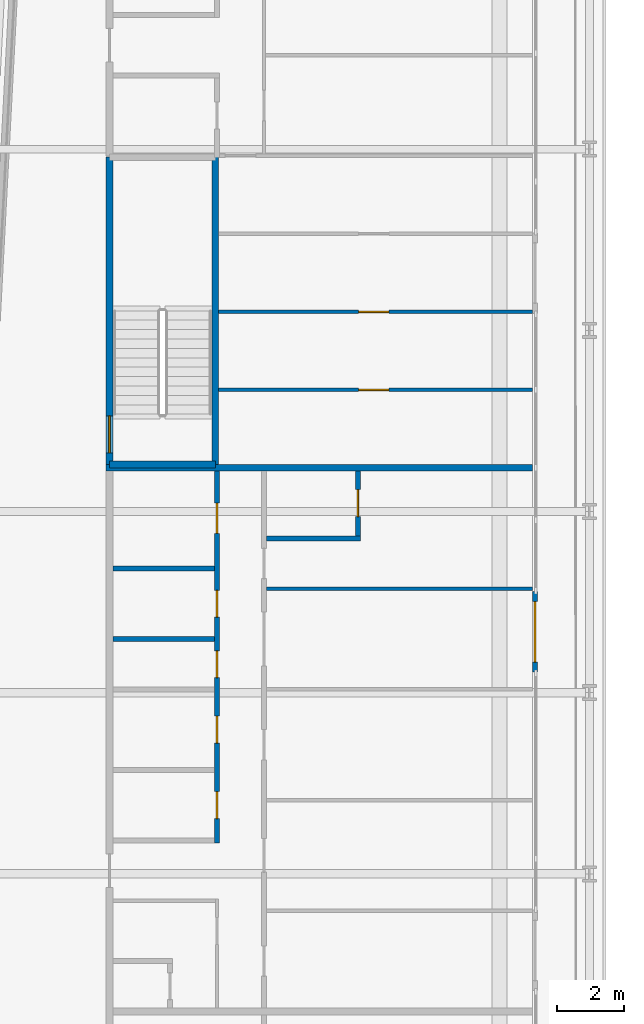
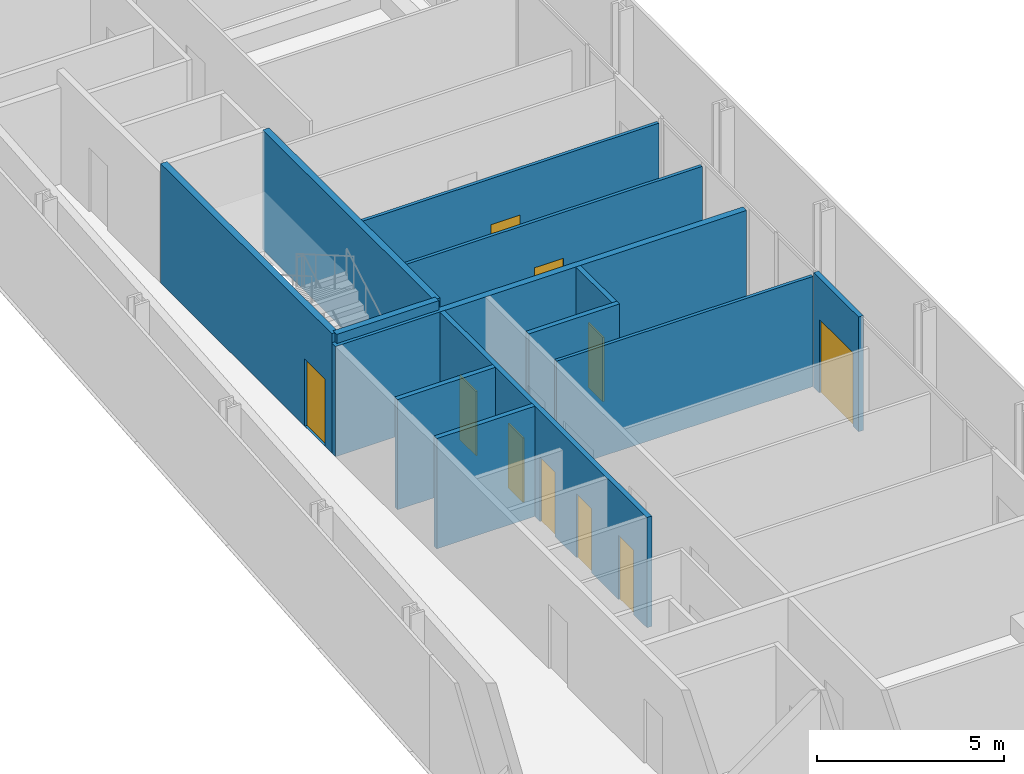
# One storey, part 18 of 28: 13 walls, 10 doors, 10 openings.
"""IFC4 building model written with IfcOpenShell, lengths in metres."""

from ifc_helpers import new_model, si_unit, direction, frame, frame_2d, origin, place, context, subcontext, project, spatial, rectangle, extrude, source, transform, mapped, material, layer, layer_set, type_object, element, fill, save


model = new_model("IFC4")

# Units and contexts
model_context = context("Model", 3, precision=1e-05, world=origin(), true_north=direction((0.0, 1.0)))
body_context = subcontext(model_context, "Body", "Model", "MODEL_VIEW")
ifc_project = project(units=[si_unit("LENGTHUNIT", "METRE"), si_unit("AREAUNIT", "SQUARE_METRE"), si_unit("VOLUMEUNIT", "CUBIC_METRE"), si_unit("PLANEANGLEUNIT", "RADIAN"), si_unit("MASSUNIT", "GRAM", prefix="KILO")], contexts=[model_context])

# Site, building, storey
site_placement = place(None, origin())
site = spatial("IfcSite", under=ifc_project, at=site_placement, CompositionType="ELEMENT")
building_placement = place(site_placement, origin())
building = spatial("IfcBuilding", under=site, at=building_placement, Name="Kheshtan School and Residences Tower", CompositionType="ELEMENT")
storey_placement = place(building_placement, frame((0.0, 0.0, 73.39990234375)))
storey = spatial("IfcBuildingStorey", under=building, at=storey_placement, Name="L17", CompositionType="ELEMENT", Elevation=73.39990234375)

# Wall, opening, door
ifc_material_1 = material(Name="Aluminium frame wall with insulated infill", Category="aluminium")
ifc_layer_1 = layer(ifc_material_1, 0.14990234375)
ifc_layer_set_1 = layer_set([ifc_layer_1], Name="Glazing frame wall 150")
wall_type_1 = type_object("IfcWallType", Name="Glazing frame wall 150", PredefinedType="SOLIDWALL", material=ifc_layer_set_1)
wall_1_placement = place(storey_placement, frame((45.97509765625, 75.612060546875, 0.0), z_axis=(0.0, 0.0, 1.0), x_axis=(0.0, -1.0, 0.0)))
wall_1 = element("IfcWall", 1, at=wall_1_placement, inside=storey, type_object=wall_type_1, Name="Balcony door wall L17 8.3", PredefinedType="SOLIDWALL", context=body_context, shape_type="SweptSolid", body=[
    extrude(rectangle(XDim=2.400146484375, YDim=0.14990234375, at=frame_2d((1.2001953125, 0.0))), origin(), (0.0, 0.0, 1.0), 3.75),
])
opening_1_placement = place(wall_1_placement, frame((0.300048828125, 0.0, 0.0)))
opening_1 = element("IfcOpeningElement", 2, at=opening_1_placement, cuts=wall_1, Name="Opening BD", PredefinedType="OPENING", context=body_context, shape_type="SweptSolid", body=[
    extrude(rectangle(XDim=1.800048828125, YDim=2.39990234375, at=frame_2d((0.89990234375, 1.199951171875))), frame((0.0, 0.0849609375, 0.0), z_axis=(0.0, -1.0, 0.0), x_axis=(1.0, 0.0, 0.0)), (0.0, 0.0, 1.0), 0.169921875),
])
ifc_material_2 = material(Name="Clear low-e glass in thermally broken aluminium frame", Category="aluminium")
door_type_1 = type_object("IfcDoorType", Name="Balcony sliding door", OperationType="SLIDING_TO_LEFT", PredefinedType="DOOR", material=ifc_material_2)
shared_shape_1 = source(origin(), body_context, "Body", "SweptSolid", [
    extrude(rectangle(XDim=1.800048828125, YDim=2.39990234375, at=frame_2d((0.89990234375, 1.199951171875))), frame((0.0, 0.02490234375, 0.0), z_axis=(0.0, -1.0, 0.0), x_axis=(1.0, 0.0, 0.0)), (0.0, 0.0, 1.0), 0.050048828125),
])
door_1_placement = place(opening_1_placement, origin())
door_1 = element("IfcDoor", 3, at=door_1_placement, inside=storey, type_object=door_type_1, Name="Balcony door L17 8.3", OperationType="SLIDING_TO_LEFT", OverallHeight=2.39990234375, OverallWidth=1.800048828125, PredefinedType="DOOR", context=body_context, shape_type="MappedRepresentation", body=[
    mapped(shared_shape_1, transform((0.0, 0.0, 0.0), x_axis=(1.0, 0.0, 0.0), y_axis=(0.0, 1.0, 0.0), z_axis=(0.0, 0.0, 1.0), scale=1.0)),
])
fill(opening_1, door_1)

ifc_material_3 = material(Name="Gypsum board on steel studs", Category="steel")
ifc_layer_2 = layer(ifc_material_3, 0.10009765625)
ifc_layer_set_2 = layer_set([ifc_layer_2], Name="Gypsum partition 100")
wall_type_2 = type_object("IfcWallType", Name="Gypsum partition 100", PredefinedType="PARTITIONING", material=ifc_layer_set_2)
wall_2_placement = place(storey_placement, frame((36.549072265625, 81.625, 0.0), z_axis=(0.0, 0.0, 1.0), x_axis=(1.0, 0.0, 0.0)))
wall_2 = element("IfcWall", 4, at=wall_2_placement, inside=storey, type_object=wall_type_2, Name="Partition L17-028", PredefinedType="PARTITIONING", context=body_context, shape_type="SweptSolid", body=[
    extrude(rectangle(XDim=9.350830078125, YDim=0.10009765625, at=frame_2d((4.67529296875, 0.0))), origin(), (0.0, 0.0, 1.0), 3.60009765625),
])
opening_2_placement = place(wall_2_placement, frame((4.1708984375, 0.0, 0.0)))
opening_2 = element("IfcOpeningElement", 5, at=opening_2_placement, cuts=wall_2, Name="Opening D17-065", PredefinedType="OPENING", context=body_context, shape_type="SweptSolid", body=[
    extrude(rectangle(XDim=0.89990234375, YDim=2.10009765625, at=frame_2d((0.449951171875, 1.050048828125))), frame((0.0, 0.06005859375, 0.0), z_axis=(0.0, -1.0, 0.0), x_axis=(1.0, 0.0, 0.0)), (0.0, 0.0, 1.0), 0.1201171875),
])
ifc_material_4 = material(Name="Veneered timber door leaf", Category="wood")
door_type_2 = type_object("IfcDoorType", Name="Door 900 x 2100", OperationType="SINGLE_SWING_LEFT", PredefinedType="DOOR", material=ifc_material_4)
shared_shape_2 = source(origin(), body_context, "Body", "SweptSolid", [
    extrude(rectangle(XDim=0.89990234375, YDim=2.10009765625, at=frame_2d((0.449951171875, 1.050048828125))), frame((0.0, 0.02490234375, 0.0), z_axis=(0.0, -1.0, 0.0), x_axis=(1.0, 0.0, 0.0)), (0.0, 0.0, 1.0), 0.050048828125),
])
door_2_placement = place(opening_2_placement, origin())
door_2 = element("IfcDoor", 6, at=door_2_placement, inside=storey, type_object=door_type_2, Name="Door D17-065", OperationType="SINGLE_SWING_RIGHT", OverallHeight=2.10009765625, OverallWidth=0.89990234375, PredefinedType="DOOR", context=body_context, shape_type="MappedRepresentation", body=[
    mapped(shared_shape_2, transform((0.0, 0.0, 0.0), x_axis=(1.0, 0.0, 0.0), y_axis=(0.0, 1.0, 0.0), z_axis=(0.0, 0.0, 1.0), scale=1.0)),
])
fill(opening_2, door_2)

wall_3_placement = place(storey_placement, frame((36.549072265625, 83.949951171875, 0.0), z_axis=(0.0, 0.0, 1.0), x_axis=(1.0, 0.0, 0.0)))
wall_3 = element("IfcWall", 7, at=wall_3_placement, inside=storey, type_object=wall_type_2, Name="Partition L17-029", PredefinedType="PARTITIONING", context=body_context, shape_type="SweptSolid", body=[
    extrude(rectangle(XDim=9.350830078125, YDim=0.10009765625, at=frame_2d((4.67529296875, 0.0))), origin(), (0.0, 0.0, 1.0), 3.60009765625),
])
opening_3_placement = place(wall_3_placement, frame((4.1708984375, 0.0, 0.0)))
opening_3 = element("IfcOpeningElement", 8, at=opening_3_placement, cuts=wall_3, Name="Opening D17-064", PredefinedType="OPENING", context=body_context, shape_type="SweptSolid", body=[
    extrude(rectangle(XDim=0.89990234375, YDim=2.10009765625, at=frame_2d((0.449951171875, 1.050048828125))), frame((0.0, 0.06005859375, 0.0), z_axis=(0.0, -1.0, 0.0), x_axis=(1.0, 0.0, 0.0)), (0.0, 0.0, 1.0), 0.1201171875),
])
door_3_placement = place(opening_3_placement, origin())
door_3 = element("IfcDoor", 9, at=door_3_placement, inside=storey, type_object=door_type_2, Name="Door D17-064", OperationType="SINGLE_SWING_RIGHT", OverallHeight=2.10009765625, OverallWidth=0.89990234375, PredefinedType="DOOR", context=body_context, shape_type="MappedRepresentation", body=[
    mapped(shared_shape_2, transform((0.0, 0.0, 0.0), x_axis=(1.0, 0.0, 0.0), y_axis=(0.0, 1.0, 0.0), z_axis=(0.0, 0.0, 1.0), scale=1.0)),
])
fill(opening_3, door_3)

# Walls
wall_4_placement = place(storey_placement, frame((37.97509765625, 75.699951171875, 0.0), z_axis=(0.0, 0.0, 1.0), x_axis=(1.0, 0.0, 0.0)))
element("IfcWall", 10, at=wall_4_placement, inside=storey, type_object=wall_type_2, Name="Partition L17-040", PredefinedType="PARTITIONING", context=body_context, shape_type="SweptSolid", body=[
    extrude(rectangle(XDim=7.9248046875, YDim=0.10009765625, at=frame_2d((3.96240234375, 0.0))), origin(), (0.0, 0.0, 1.0), 3.60009765625),
])
ifc_material_5 = material(Name="Concrete C40/50", Category="concrete")
ifc_layer_3 = layer(ifc_material_5, 0.199951171875)
ifc_layer_set_3 = layer_set([ifc_layer_3], Name="Stair enclosure wall 200 Concrete C40/50")
wall_type_3 = type_object("IfcWallType", Name="Stair enclosure wall 200 Concrete C40/50", PredefinedType="SHEAR", material=ifc_layer_set_3)
wall_5_placement = place(storey_placement, frame((33.300048828125, 79.39990234375, 0.0), z_axis=(0.0, 0.0, 1.0), x_axis=(1.0, 0.0, 0.0)))
element("IfcWall", 11, at=wall_5_placement, inside=storey, type_object=wall_type_3, Name="Stair enclosure wall ST3", PredefinedType="SHEAR", context=body_context, shape_type="SweptSolid", body=[
    extrude(rectangle(XDim=3.14990234375, YDim=0.199951171875, at=frame_2d((1.574951171875, 0.0))), origin(), (0.0, 0.0, 1.0), 3.900146484375),
])

# Wall, opening, door
wall_6_placement = place(storey_placement, frame((33.300048828125, 79.39990234375, 0.0), z_axis=(0.0, 0.0, 1.0), x_axis=(0.0, 1.0, 0.0)))
wall_6 = element("IfcWall", 12, at=wall_6_placement, inside=storey, type_object=wall_type_3, Name="Stair enclosure wall ST3", PredefinedType="SHEAR", context=body_context, shape_type="SweptSolid", body=[
    extrude(rectangle(XDim=9.16015625, YDim=0.199951171875, at=frame_2d((4.580078125, 0.0))), origin(), (0.0, 0.0, 1.0), 3.900146484375),
])
opening_4_placement = place(wall_6_placement, frame((0.35009765625, 0.0, 0.0)))
opening_4 = element("IfcOpeningElement", 13, at=opening_4_placement, cuts=wall_6, Name="Opening ST3D", PredefinedType="OPENING", context=body_context, shape_type="SweptSolid", body=[
    extrude(rectangle(XDim=1.10009765625, YDim=2.199951171875, at=frame_2d((0.550048828125, 1.10009765625))), frame((0.0, 0.10986328125, 0.0), z_axis=(0.0, -1.0, 0.0), x_axis=(1.0, 0.0, 0.0)), (0.0, 0.0, 1.0), 0.219970703125),
])
ifc_material_6 = material(Name="Steel door leaf, galvanised", Category="steel")
door_type_3 = type_object("IfcDoorType", Name="Stair door 1100 steel 90 min", OperationType="SINGLE_SWING_LEFT", PredefinedType="DOOR", material=ifc_material_6)
shared_shape_3 = source(origin(), body_context, "Body", "SweptSolid", [
    extrude(rectangle(XDim=1.10009765625, YDim=2.199951171875, at=frame_2d((0.550048828125, 1.10009765625))), frame((0.0, 0.02490234375, 0.0), z_axis=(0.0, -1.0, 0.0), x_axis=(1.0, 0.0, 0.0)), (0.0, 0.0, 1.0), 0.050048828125),
])
door_4_placement = place(opening_4_placement, origin())
door_4 = element("IfcDoor", 14, at=door_4_placement, inside=storey, type_object=door_type_3, Name="Stair ST3 door", OperationType="SINGLE_SWING_RIGHT", OverallHeight=2.199951171875, OverallWidth=1.10009765625, PredefinedType="DOOR", context=body_context, shape_type="MappedRepresentation", body=[
    mapped(shared_shape_3, transform((0.0, 0.0, 0.0), x_axis=(1.0, 0.0, 0.0), y_axis=(0.0, 1.0, 0.0), z_axis=(0.0, 0.0, 1.0), scale=1.0)),
])
fill(opening_4, door_4)

# Walls
wall_7_placement = place(storey_placement, frame((36.449951171875, 79.39990234375, 0.0), z_axis=(0.0, 0.0, 1.0), x_axis=(0.0, 1.0, 0.0)))
element("IfcWall", 15, at=wall_7_placement, inside=storey, type_object=wall_type_3, Name="Stair enclosure wall ST3", PredefinedType="SHEAR", context=body_context, shape_type="SweptSolid", body=[
    extrude(rectangle(XDim=9.16015625, YDim=0.199951171875, at=frame_2d((4.580078125, 0.0))), origin(), (0.0, 0.0, 1.0), 3.900146484375),
])
ifc_material_7 = material(Name="Twin gypsum board on steel studs with mineral wool", Category="steel")
ifc_layer_4 = layer(ifc_material_7, 0.199951171875)
ifc_layer_set_4 = layer_set([ifc_layer_4], Name="Unit demising wall 200")
wall_type_4 = type_object("IfcWallType", Name="Unit demising wall 200", PredefinedType="PARTITIONING", material=ifc_layer_set_4)
wall_8_placement = place(storey_placement, frame((33.199951171875, 79.300048828125, 0.0), z_axis=(0.0, 0.0, 1.0), x_axis=(1.0, 0.0, 0.0)))
element("IfcWall", 16, at=wall_8_placement, inside=storey, type_object=wall_type_4, Name="Partition L17-003", PredefinedType="PARTITIONING", context=body_context, shape_type="SweptSolid", body=[
    extrude(rectangle(XDim=12.699951171875, YDim=0.199951171875, at=frame_2d((6.35009765625, 0.0))), origin(), (0.0, 0.0, 1.0), 3.60009765625),
])
ifc_material_8 = material(Name="Moisture-resistant gypsum board on steel studs", Category="steel")
ifc_layer_5 = layer(ifc_material_8, 0.14990234375)
ifc_layer_set_5 = layer_set([ifc_layer_5], Name="Wet-room partition 150")
wall_type_5 = type_object("IfcWallType", Name="Wet-room partition 150", PredefinedType="PARTITIONING", material=ifc_layer_set_5)
for number, where, z_axis, x_axis, name in (
    (17, (33.39990234375, 74.199951171875, 0.0), (0.0, 0.0, 1.0), (1.0, 0.0, 0.0), "Partition L17-016"),
    (18, (33.39990234375, 76.300048828125, 0.0), (0.0, 0.0, 1.0), (1.0, 0.0, 0.0), "Partition L17-017"),
):
    element("IfcWall", number, at=place(storey_placement, frame(where, z_axis=z_axis, x_axis=x_axis)), inside=storey, type_object=wall_type_5, Name=name, PredefinedType="PARTITIONING", context=body_context, shape_type="SweptSolid", body=[
        extrude(rectangle(XDim=3.025146484375, YDim=0.14990234375, at=frame_2d((1.5126953125, 0.0))), origin(), (0.0, 0.0, 1.0), 3.60009765625),
    ])

# Wall, openings, doors
wall_9_placement = place(storey_placement, frame((36.5, 68.125, 0.0), z_axis=(0.0, 0.0, 1.0), x_axis=(0.0, 1.0, 0.0)))
wall_9 = element("IfcWall", 19, at=wall_9_placement, inside=storey, type_object=wall_type_5, Name="Partition L17-025", PredefinedType="PARTITIONING", context=body_context, shape_type="SweptSolid", body=[
    extrude(rectangle(XDim=11.074951171875, YDim=0.14990234375, at=frame_2d((5.53759765625, 0.0))), origin(), (0.0, 0.0, 1.0), 3.60009765625),
])
opening_5_placement = place(wall_9_placement, frame((0.72509765625, 0.0, 0.0)))
opening_5 = element("IfcOpeningElement", 20, at=opening_5_placement, cuts=wall_9, Name="Opening D17-042", PredefinedType="OPENING", context=body_context, shape_type="SweptSolid", body=[
    extrude(rectangle(XDim=0.800048828125, YDim=2.10009765625, at=frame_2d((0.39990234375, 1.050048828125))), frame((0.0, 0.0849609375, 0.0), z_axis=(0.0, -1.0, 0.0), x_axis=(1.0, 0.0, 0.0)), (0.0, 0.0, 1.0), 0.169921875),
])
opening_6_placement = place(wall_9_placement, frame((6.72509765625, 0.0, 0.0)))
opening_6 = element("IfcOpeningElement", 21, at=opening_6_placement, cuts=wall_9, Name="Opening D17-043", PredefinedType="OPENING", context=body_context, shape_type="SweptSolid", body=[
    extrude(rectangle(XDim=0.800048828125, YDim=2.10009765625, at=frame_2d((0.39990234375, 1.050048828125))), frame((0.0, 0.0849609375, 0.0), z_axis=(0.0, -1.0, 0.0), x_axis=(1.0, 0.0, 0.0)), (0.0, 0.0, 1.0), 0.169921875),
])
opening_7_placement = place(wall_9_placement, frame((2.97509765625, 0.0, 0.0)))
opening_7 = element("IfcOpeningElement", 22, at=opening_7_placement, cuts=wall_9, Name="Opening D17-046", PredefinedType="OPENING", context=body_context, shape_type="SweptSolid", body=[
    extrude(rectangle(XDim=0.800048828125, YDim=2.10009765625, at=frame_2d((0.39990234375, 1.050048828125))), frame((0.0, 0.0849609375, 0.0), z_axis=(0.0, -1.0, 0.0), x_axis=(1.0, 0.0, 0.0)), (0.0, 0.0, 1.0), 0.169921875),
])
opening_8_placement = place(wall_9_placement, frame((9.22509765625, 0.0, 0.0)))
opening_8 = element("IfcOpeningElement", 23, at=opening_8_placement, cuts=wall_9, Name="Opening D17-049", PredefinedType="OPENING", context=body_context, shape_type="SweptSolid", body=[
    extrude(rectangle(XDim=0.89990234375, YDim=2.10009765625, at=frame_2d((0.449951171875, 1.050048828125))), frame((0.0, 0.0849609375, 0.0), z_axis=(0.0, -1.0, 0.0), x_axis=(1.0, 0.0, 0.0)), (0.0, 0.0, 1.0), 0.169921875),
])
opening_9_placement = place(wall_9_placement, frame((4.925048828125, 0.0, 0.0)))
opening_9 = element("IfcOpeningElement", 24, at=opening_9_placement, cuts=wall_9, Name="Opening D17-055", PredefinedType="OPENING", context=body_context, shape_type="SweptSolid", body=[
    extrude(rectangle(XDim=0.800048828125, YDim=2.10009765625, at=frame_2d((0.39990234375, 1.050048828125))), frame((0.0, 0.0849609375, 0.0), z_axis=(0.0, -1.0, 0.0), x_axis=(1.0, 0.0, 0.0)), (0.0, 0.0, 1.0), 0.169921875),
])
door_type_4 = type_object("IfcDoorType", Name="Door 800 x 2100", OperationType="SINGLE_SWING_LEFT", PredefinedType="DOOR", material=ifc_material_4)
shared_shape_4 = source(origin(), body_context, "Body", "SweptSolid", [
    extrude(rectangle(XDim=0.800048828125, YDim=2.10009765625, at=frame_2d((0.39990234375, 1.050048828125))), frame((0.0, 0.02490234375, 0.0), z_axis=(0.0, -1.0, 0.0), x_axis=(1.0, 0.0, 0.0)), (0.0, 0.0, 1.0), 0.050048828125),
])
door_5_placement = place(opening_5_placement, origin())
door_5 = element("IfcDoor", 25, at=door_5_placement, inside=storey, type_object=door_type_4, Name="Door D17-042", OperationType="SINGLE_SWING_LEFT", OverallHeight=2.10009765625, OverallWidth=0.800048828125, PredefinedType="DOOR", context=body_context, shape_type="MappedRepresentation", body=[
    mapped(shared_shape_4, transform((0.0, 0.0, 0.0), x_axis=(1.0, 0.0, 0.0), y_axis=(0.0, 1.0, 0.0), z_axis=(0.0, 0.0, 1.0), scale=1.0)),
])
fill(opening_5, door_5)
door_6_placement = place(opening_6_placement, origin())
door_6 = element("IfcDoor", 26, at=door_6_placement, inside=storey, type_object=door_type_4, Name="Door D17-043", OperationType="SINGLE_SWING_LEFT", OverallHeight=2.10009765625, OverallWidth=0.800048828125, PredefinedType="DOOR", context=body_context, shape_type="MappedRepresentation", body=[
    mapped(shared_shape_4, transform((0.0, 0.0, 0.0), x_axis=(1.0, 0.0, 0.0), y_axis=(0.0, 1.0, 0.0), z_axis=(0.0, 0.0, 1.0), scale=1.0)),
])
fill(opening_6, door_6)
door_7_placement = place(opening_7_placement, origin())
door_7 = element("IfcDoor", 27, at=door_7_placement, inside=storey, type_object=door_type_4, Name="Door D17-046", OperationType="SINGLE_SWING_RIGHT", OverallHeight=2.10009765625, OverallWidth=0.800048828125, PredefinedType="DOOR", context=body_context, shape_type="MappedRepresentation", body=[
    mapped(shared_shape_4, transform((0.0, 0.0, 0.0), x_axis=(1.0, 0.0, 0.0), y_axis=(0.0, 1.0, 0.0), z_axis=(0.0, 0.0, 1.0), scale=1.0)),
])
fill(opening_7, door_7)
door_8_placement = place(opening_9_placement, origin())
door_8 = element("IfcDoor", 28, at=door_8_placement, inside=storey, type_object=door_type_4, Name="Door D17-055", OperationType="SINGLE_SWING_LEFT", OverallHeight=2.10009765625, OverallWidth=0.800048828125, PredefinedType="DOOR", context=body_context, shape_type="MappedRepresentation", body=[
    mapped(shared_shape_4, transform((0.0, 0.0, 0.0), x_axis=(1.0, 0.0, 0.0), y_axis=(0.0, 1.0, 0.0), z_axis=(0.0, 0.0, 1.0), scale=1.0)),
])
fill(opening_9, door_8)
door_9_placement = place(opening_8_placement, origin())
door_9 = element("IfcDoor", 29, at=door_9_placement, inside=storey, type_object=door_type_2, Name="Door D17-049", OperationType="SINGLE_SWING_RIGHT", OverallHeight=2.10009765625, OverallWidth=0.89990234375, PredefinedType="DOOR", context=body_context, shape_type="MappedRepresentation", body=[
    mapped(shared_shape_2, transform((0.0, 0.0, 0.0), x_axis=(1.0, 0.0, 0.0), y_axis=(0.0, 1.0, 0.0), z_axis=(0.0, 0.0, 1.0), scale=1.0)),
])
fill(opening_8, door_9)

# Wall
wall_10_placement = place(storey_placement, frame((37.97509765625, 77.199951171875, 0.0), z_axis=(0.0, 0.0, 1.0), x_axis=(1.0, 0.0, 0.0)))
element("IfcWall", 30, at=wall_10_placement, inside=storey, type_object=wall_type_5, Name="Partition L17-041", PredefinedType="PARTITIONING", context=body_context, shape_type="SweptSolid", body=[
    extrude(rectangle(XDim=2.7998046875, YDim=0.14990234375, at=frame_2d((1.39990234375, 0.0))), origin(), (0.0, 0.0, 1.0), 3.60009765625),
])

# Wall, opening, door
wall_11_placement = place(storey_placement, frame((40.699951171875, 77.27490234375, 0.0), z_axis=(0.0, 0.0, 1.0), x_axis=(0.0, 1.0, 0.0)))
wall_11 = element("IfcWall", 31, at=wall_11_placement, inside=storey, type_object=wall_type_5, Name="Partition L17-043", PredefinedType="PARTITIONING", context=body_context, shape_type="SweptSolid", body=[
    extrude(rectangle(XDim=1.925048828125, YDim=0.14990234375, at=frame_2d((0.96240234375, 0.0))), origin(), (0.0, 0.0, 1.0), 3.60009765625),
])
opening_10_placement = place(wall_11_placement, frame((0.574951171875, 0.0, 0.0)))
opening_10 = element("IfcOpeningElement", 32, at=opening_10_placement, cuts=wall_11, Name="Opening D17-047", PredefinedType="OPENING", context=body_context, shape_type="SweptSolid", body=[
    extrude(rectangle(XDim=0.800048828125, YDim=2.10009765625, at=frame_2d((0.39990234375, 1.050048828125))), frame((0.0, 0.0849609375, 0.0), z_axis=(0.0, -1.0, 0.0), x_axis=(1.0, 0.0, 0.0)), (0.0, 0.0, 1.0), 0.169921875),
])
door_10_placement = place(opening_10_placement, origin())
door_10 = element("IfcDoor", 33, at=door_10_placement, inside=storey, type_object=door_type_4, Name="Door D17-047", OperationType="SINGLE_SWING_RIGHT", OverallHeight=2.10009765625, OverallWidth=0.800048828125, PredefinedType="DOOR", context=body_context, shape_type="MappedRepresentation", body=[
    mapped(shared_shape_4, transform((0.0, 0.0, 0.0), x_axis=(1.0, 0.0, 0.0), y_axis=(0.0, 1.0, 0.0), z_axis=(0.0, 0.0, 1.0), scale=1.0)),
])
fill(opening_10, door_10)

save(model, "model.ifc")
